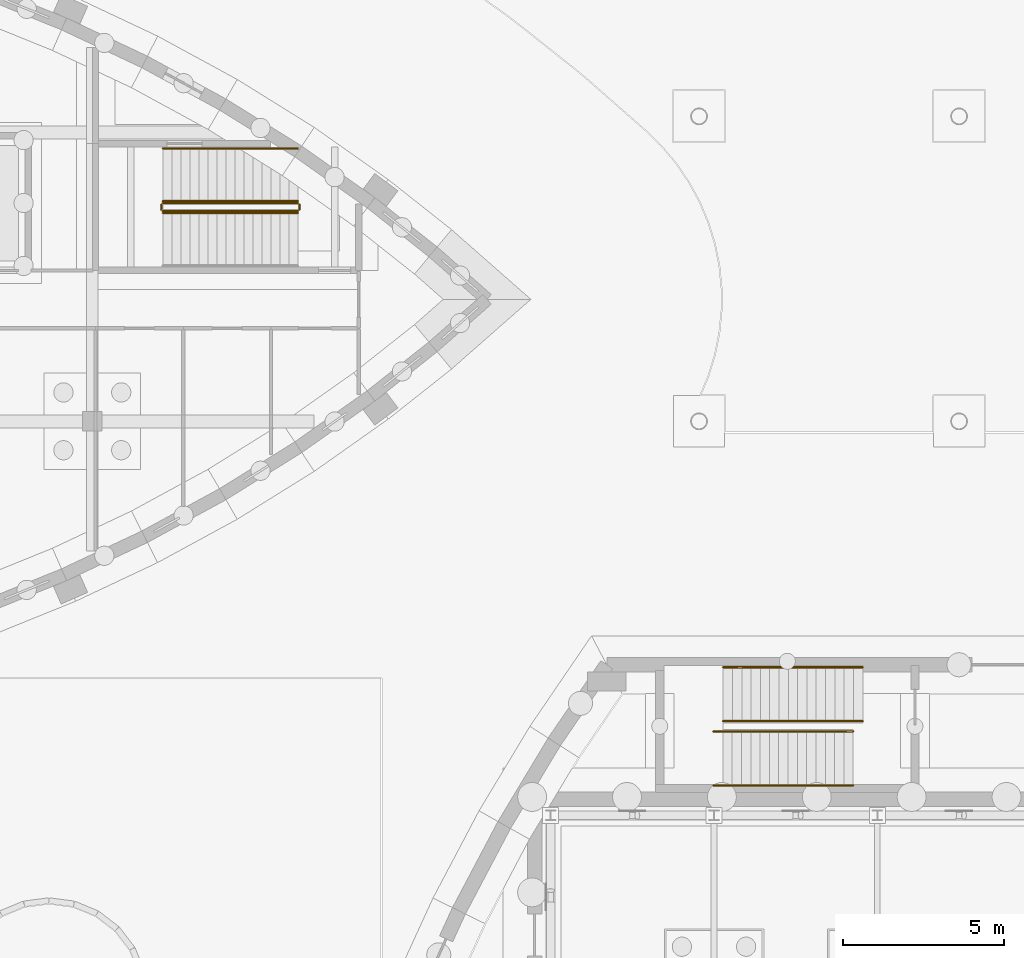
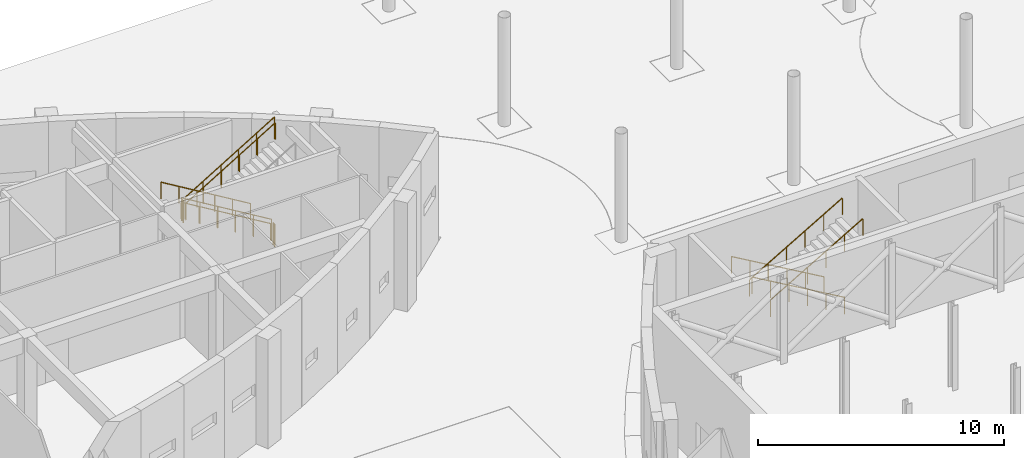
# One storey, part 77 of 82: 11 railings.
"""IFC4 building model written with IfcOpenShell, lengths in metres."""

from ifc_helpers import new_model, si_unit, direction, frame, origin, origin_2d, place, context, subcontext, project, spatial, circle, extrude, material, type_object, element, save


model = new_model("IFC4")

# Units and contexts
model_context = context("Model", 3, precision=1e-05, world=origin(), true_north=direction((0.0, 1.0)))
body_context = subcontext(model_context, "Body", "Model", "MODEL_VIEW")
ifc_project = project(units=[si_unit("LENGTHUNIT", "METRE"), si_unit("AREAUNIT", "SQUARE_METRE"), si_unit("VOLUMEUNIT", "CUBIC_METRE"), si_unit("PLANEANGLEUNIT", "RADIAN"), si_unit("MASSUNIT", "GRAM", prefix="KILO")], contexts=[model_context])

# Site, building, storey
site_placement = place(None, origin())
site = spatial("IfcSite", under=ifc_project, at=site_placement, CompositionType="ELEMENT")
building_placement = place(site_placement, origin())
building = spatial("IfcBuilding", under=site, at=building_placement, Name="Tide Square Theatres", CompositionType="ELEMENT")
storey_placement = place(building_placement, origin())
storey = spatial("IfcBuildingStorey", under=building, at=storey_placement, Name="L00", CompositionType="ELEMENT", Elevation=0.0)

# Railings
ifc_material_1 = material(Name="Painted steel", Category="steel")
railing_type_1 = type_object("IfcRailingType", Name="Steel guard 1100", PredefinedType="GUARDRAIL", material=ifc_material_1)
railing_1_placement = place(storey_placement, frame((63.39990234375, 100.800048828125, 0.168701171875)))
element("IfcRailing", 1, at=railing_1_placement, inside=storey, type_object=railing_type_1, Name="L00 WST-2 stair guard 1", PredefinedType="GUARDRAIL", context=body_context, shape_type="SweptSolid", body=[
    extrude(circle(Radius=0.02392578125, at=origin_2d()), frame((0.0, 0.0, 1.076171875), z_axis=(-0.856476492594, 0.0, 0.516186030065), x_axis=(0.0, -1.0, 0.0)), (0.0, 0.0, 1.0), 4.90380859375),
    extrude(circle(Radius=0.02099609375, at=origin_2d()), origin(), (0.0, 0.0, 1.0), 1.052001953125),
    extrude(circle(Radius=0.02099609375, at=origin_2d()), frame((-0.840087890625, 0.0, 0.50634765625)), (0.0, 0.0, 1.0), 1.052001953125),
    extrude(circle(Radius=0.02099609375, at=origin_2d()), frame((-1.679931640625, 0.0, 1.012451171875)), (0.0, 0.0, 1.0), 1.052001953125),
    extrude(circle(Radius=0.02099609375, at=origin_2d()), frame((-2.52001953125, 0.0, 1.518798828125)), (0.0, 0.0, 1.0), 1.052001953125),
    extrude(circle(Radius=0.02099609375, at=origin_2d()), frame((-3.35986328125, 0.0, 2.02490234375)), (0.0, 0.0, 1.0), 1.052001953125),
    extrude(circle(Radius=0.02099609375, at=origin_2d()), frame((-4.199951171875, 0.0, 2.53125)), (0.0, 0.0, 1.0), 1.052001953125),
])
railing_2_placement = place(storey_placement, frame((59.14990234375, 100.75, 2.699951171875)))
element("IfcRailing", 2, at=railing_2_placement, inside=storey, type_object=railing_type_1, Name="L00 WST-2 stair guard 2", PredefinedType="GUARDRAIL", context=body_context, shape_type="SweptSolid", body=[
    extrude(circle(Radius=0.02392578125, at=origin_2d()), frame((0.0, 0.0, 1.076171875), z_axis=(0.0, -1.0, 0.0), x_axis=(1.0, 0.0, 0.0)), (0.0, 0.0, 1.0), 0.14990234375),
    extrude(circle(Radius=0.02099609375, at=origin_2d()), origin(), (0.0, 0.0, 1.0), 1.052001953125),
    extrude(circle(Radius=0.02099609375, at=origin_2d()), frame((0.0, -0.14990234375, 0.0)), (0.0, 0.0, 1.0), 1.052001953125),
])
railing_3_placement = place(storey_placement, frame((59.199951171875, 100.550048828125, 2.86865234375)))
element("IfcRailing", 3, at=railing_3_placement, inside=storey, type_object=railing_type_1, Name="L00 WST-2 stair guard 3", PredefinedType="GUARDRAIL", context=body_context, shape_type="SweptSolid", body=[
    extrude(circle(Radius=0.02392578125, at=origin_2d()), frame((0.0, 0.0, 1.076171875), z_axis=(0.856476492594, 0.0, 0.516186030065), x_axis=(0.0, 1.0, 0.0)), (0.0, 0.0, 1.0), 4.90380859375),
    extrude(circle(Radius=0.02099609375, at=origin_2d()), origin(), (0.0, 0.0, 1.0), 1.052001953125),
    extrude(circle(Radius=0.02099609375, at=origin_2d()), frame((0.840087890625, 0.0, 0.50634765625)), (0.0, 0.0, 1.0), 1.052001953125),
    extrude(circle(Radius=0.02099609375, at=origin_2d()), frame((1.679931640625, 0.0, 1.012451171875)), (0.0, 0.0, 1.0), 1.052001953125),
    extrude(circle(Radius=0.02099609375, at=origin_2d()), frame((2.52001953125, 0.0, 1.518798828125)), (0.0, 0.0, 1.0), 1.052001953125),
    extrude(circle(Radius=0.02099609375, at=origin_2d()), frame((3.35986328125, 0.0, 2.02490234375)), (0.0, 0.0, 1.0), 1.052001953125),
    extrude(circle(Radius=0.02099609375, at=origin_2d()), frame((4.199951171875, 0.0, 2.53125)), (0.0, 0.0, 1.0), 1.052001953125),
])
railing_4_placement = place(storey_placement, frame((63.449951171875, 100.75, 0.0)))
element("IfcRailing", 4, at=railing_4_placement, inside=storey, type_object=railing_type_1, Name="L00 WST-2 stair guard 4", PredefinedType="GUARDRAIL", context=body_context, shape_type="SweptSolid", body=[
    extrude(circle(Radius=0.02392578125, at=origin_2d()), frame((0.0, 0.0, 1.076171875), z_axis=(0.0, -1.0, 0.0), x_axis=(1.0, 0.0, 0.0)), (0.0, 0.0, 1.0), 0.14990234375),
    extrude(circle(Radius=0.02099609375, at=origin_2d()), origin(), (0.0, 0.0, 1.0), 1.052001953125),
    extrude(circle(Radius=0.02099609375, at=origin_2d()), frame((0.0, -0.14990234375, 0.0)), (0.0, 0.0, 1.0), 1.052001953125),
])
ifc_material_2 = material(Name="Painted steel", Category="steel")
railing_type_2 = type_object("IfcRailingType", Name="Steel handrail 850", PredefinedType="HANDRAIL", material=ifc_material_2)
for number, where, name in (
    (5, (81.0, 86.340087890625, 0.168701171875), "Stair handrail 5"),
    (6, (81.0, 84.659912109375, 0.168701171875), "Stair handrail 5"),
):
    element("IfcRailing", number, at=place(storey_placement, frame(where)), inside=storey, type_object=railing_type_2, Name=name, PredefinedType="HANDRAIL", context=body_context, shape_type="SweptSolid", body=[
        extrude(circle(Radius=0.02490234375, at=origin_2d()), frame((0.0, 0.0, 0.8251953125), z_axis=(-0.864323800911, 0.0, 0.50293574856), x_axis=(0.0, -1.0, 0.0)), (0.0, 0.0, 1.0), 5.032958984375),
        extrude(circle(Radius=0.02001953125, at=origin_2d()), origin(), (0.0, 0.0, 1.0), 0.800048828125),
        extrude(circle(Radius=0.02001953125, at=origin_2d()), frame((-0.8701171875, 0.0, 0.50634765625)), (0.0, 0.0, 1.0), 0.800048828125),
        extrude(circle(Radius=0.02001953125, at=origin_2d()), frame((-1.739990234375, 0.0, 1.012451171875)), (0.0, 0.0, 1.0), 0.800048828125),
        extrude(circle(Radius=0.02001953125, at=origin_2d()), frame((-2.610107421875, 0.0, 1.518798828125)), (0.0, 0.0, 1.0), 0.800048828125),
        extrude(circle(Radius=0.02001953125, at=origin_2d()), frame((-3.47998046875, 0.0, 2.02490234375)), (0.0, 0.0, 1.0), 0.800048828125),
        extrude(circle(Radius=0.02001953125, at=origin_2d()), frame((-4.35009765625, 0.0, 2.53125)), (0.0, 0.0, 1.0), 0.800048828125),
    ])
for number, where, name in (
    (7, (76.351806640625, 84.340087890625, 2.86865234375), "Stair handrail 5"),
    (8, (76.351806640625, 82.659912109375, 2.86865234375), "Stair handrail 5"),
):
    element("IfcRailing", number, at=place(storey_placement, frame(where)), inside=storey, type_object=railing_type_2, Name=name, PredefinedType="HANDRAIL", context=body_context, shape_type="SweptSolid", body=[
        extrude(circle(Radius=0.02490234375, at=origin_2d()), frame((0.0, 0.0, 0.8251953125), z_axis=(0.864323800911, 0.0, 0.50293574856), x_axis=(0.0, 1.0, 0.0)), (0.0, 0.0, 1.0), 5.032958984375),
        extrude(circle(Radius=0.02001953125, at=origin_2d()), origin(), (0.0, 0.0, 1.0), 0.800048828125),
        extrude(circle(Radius=0.02001953125, at=origin_2d()), frame((0.8701171875, 0.0, 0.50634765625)), (0.0, 0.0, 1.0), 0.800048828125),
        extrude(circle(Radius=0.02001953125, at=origin_2d()), frame((1.739990234375, 0.0, 1.012451171875)), (0.0, 0.0, 1.0), 0.800048828125),
        extrude(circle(Radius=0.02001953125, at=origin_2d()), frame((2.610107421875, 0.0, 1.518798828125)), (0.0, 0.0, 1.0), 0.800048828125),
        extrude(circle(Radius=0.02001953125, at=origin_2d()), frame((3.47998046875, 0.0, 2.02490234375)), (0.0, 0.0, 1.0), 0.800048828125),
        extrude(circle(Radius=0.02001953125, at=origin_2d()), frame((4.35009765625, 0.0, 2.53125)), (0.0, 0.0, 1.0), 0.800048828125),
    ])
for number, where, name in (
    (9, (63.39990234375, 102.5, 0.168701171875), "L00 WST-2 stair handrail 1"),
    (10, (63.39990234375, 100.860107421875, 0.168701171875), "L00 WST-2 stair handrail 2"),
):
    element("IfcRailing", number, at=place(storey_placement, frame(where)), inside=storey, type_object=railing_type_2, Name=name, PredefinedType="HANDRAIL", context=body_context, shape_type="SweptSolid", body=[
        extrude(circle(Radius=0.02392578125, at=origin_2d()), frame((0.0, 0.0, 0.826171875), z_axis=(-0.856476492594, 0.0, 0.516186030065), x_axis=(0.0, -1.0, 0.0)), (0.0, 0.0, 1.0), 4.90380859375),
        extrude(circle(Radius=0.02099609375, at=origin_2d()), origin(), (0.0, 0.0, 1.0), 0.802001953125),
        extrude(circle(Radius=0.02099609375, at=origin_2d()), frame((-0.840087890625, 0.0, 0.50634765625)), (0.0, 0.0, 1.0), 0.802001953125),
        extrude(circle(Radius=0.02099609375, at=origin_2d()), frame((-1.679931640625, 0.0, 1.012451171875)), (0.0, 0.0, 1.0), 0.802001953125),
        extrude(circle(Radius=0.02099609375, at=origin_2d()), frame((-2.52001953125, 0.0, 1.518798828125)), (0.0, 0.0, 1.0), 0.802001953125),
        extrude(circle(Radius=0.02099609375, at=origin_2d()), frame((-3.35986328125, 0.0, 2.02490234375)), (0.0, 0.0, 1.0), 0.802001953125),
        extrude(circle(Radius=0.02099609375, at=origin_2d()), frame((-4.199951171875, 0.0, 2.53125)), (0.0, 0.0, 1.0), 0.802001953125),
    ])
railing_5_placement = place(storey_placement, frame((59.199951171875, 100.489990234375, 2.86865234375)))
element("IfcRailing", 11, at=railing_5_placement, inside=storey, type_object=railing_type_2, Name="L00 WST-2 stair handrail 4", PredefinedType="HANDRAIL", context=body_context, shape_type="SweptSolid", body=[
    extrude(circle(Radius=0.02392578125, at=origin_2d()), frame((0.0, 0.0, 0.826171875), z_axis=(0.856476492594, 0.0, 0.516186030065), x_axis=(0.0, 1.0, 0.0)), (0.0, 0.0, 1.0), 4.90380859375),
    extrude(circle(Radius=0.02099609375, at=origin_2d()), origin(), (0.0, 0.0, 1.0), 0.802001953125),
    extrude(circle(Radius=0.02099609375, at=origin_2d()), frame((0.840087890625, 0.0, 0.50634765625)), (0.0, 0.0, 1.0), 0.802001953125),
    extrude(circle(Radius=0.02099609375, at=origin_2d()), frame((1.679931640625, 0.0, 1.012451171875)), (0.0, 0.0, 1.0), 0.802001953125),
    extrude(circle(Radius=0.02099609375, at=origin_2d()), frame((2.52001953125, 0.0, 1.518798828125)), (0.0, 0.0, 1.0), 0.802001953125),
    extrude(circle(Radius=0.02099609375, at=origin_2d()), frame((3.35986328125, 0.0, 2.02490234375)), (0.0, 0.0, 1.0), 0.802001953125),
    extrude(circle(Radius=0.02099609375, at=origin_2d()), frame((4.199951171875, 0.0, 2.53125)), (0.0, 0.0, 1.0), 0.802001953125),
])

save(model, "model.ifc")
